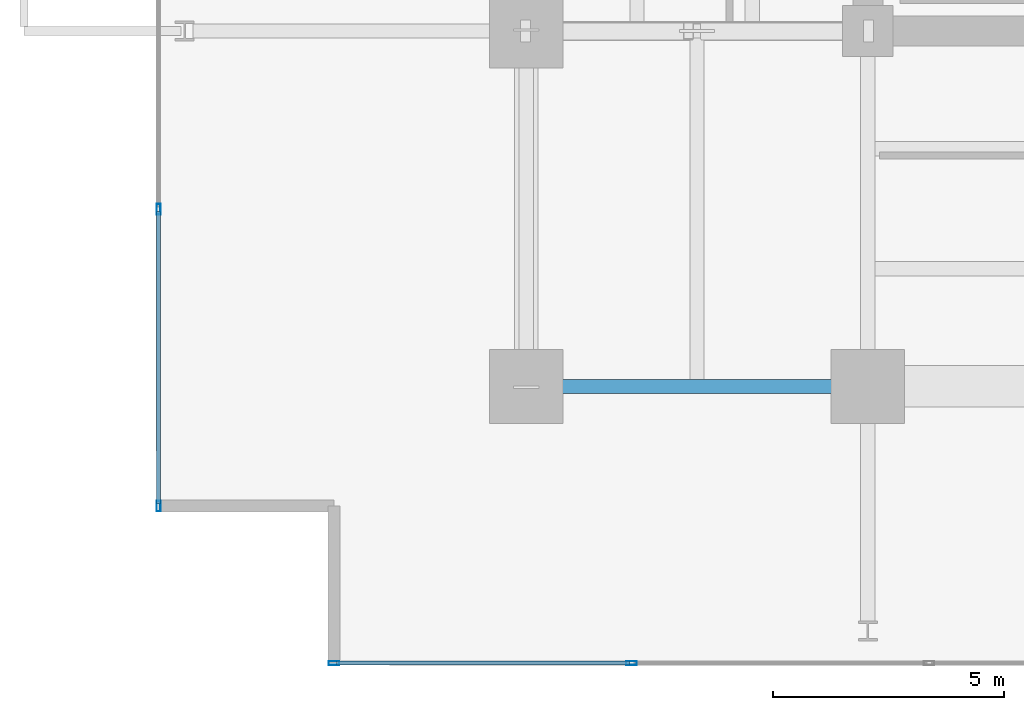
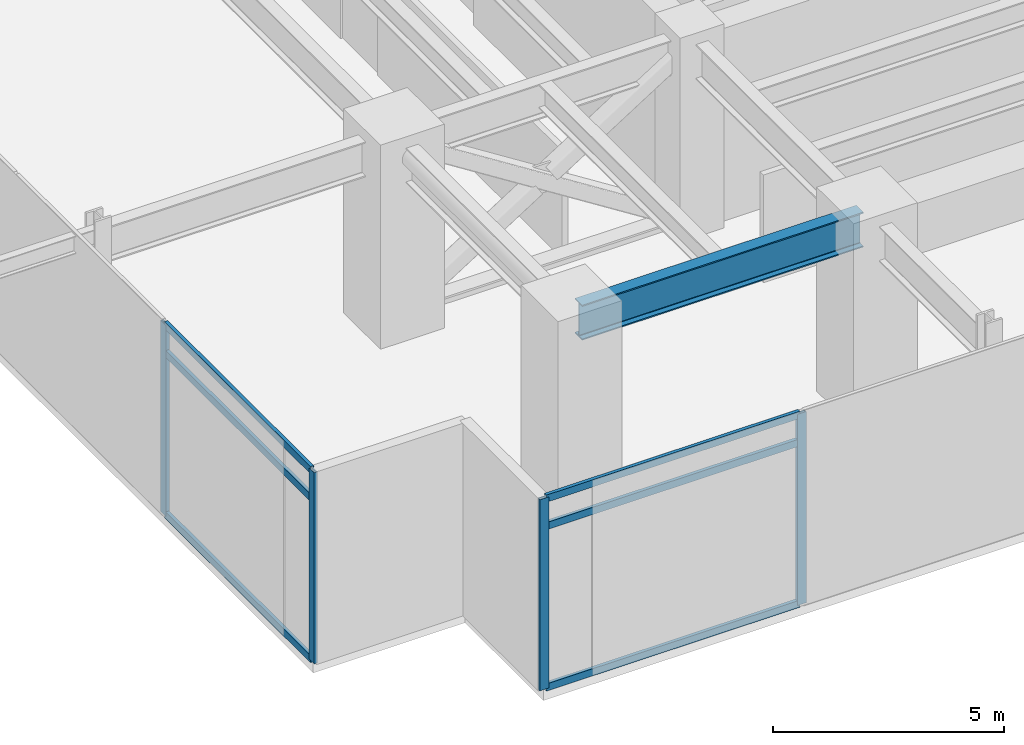
# One storey, part 2 of 26: 10 members, 1 beam, 2 elements without a shape of their own.
"""IFC4 building model written with IfcOpenShell, lengths in metres."""

from ifc_helpers import new_model, si_unit, direction, frame, origin, origin_2d, place, context, subcontext, project, spatial, hollow_rectangle, i_section, extrude, material, material_profile, profile_set, type_object, element, aggregate, save


model = new_model("IFC4")

# Units and contexts
model_context = context("Model", 3, precision=1e-05, world=origin(), true_north=direction((0.0, 1.0)))
body_context = subcontext(model_context, "Body", "Model", "MODEL_VIEW")
ifc_project = project(units=[si_unit("LENGTHUNIT", "METRE"), si_unit("AREAUNIT", "SQUARE_METRE"), si_unit("VOLUMEUNIT", "CUBIC_METRE"), si_unit("PLANEANGLEUNIT", "RADIAN"), si_unit("MASSUNIT", "GRAM", prefix="KILO")], contexts=[model_context])

# Site, building, storey
site_placement = place(None, origin())
site = spatial("IfcSite", under=ifc_project, at=site_placement, CompositionType="ELEMENT")
building_placement = place(site_placement, origin())
building = spatial("IfcBuilding", under=site, at=building_placement, Name="Kovane Verandah Tower", CompositionType="ELEMENT")
storey_placement = place(building_placement, frame((0.0, 0.0, 113.0)))
storey = spatial("IfcBuildingStorey", under=building, at=storey_placement, Name="L26", CompositionType="ELEMENT", Elevation=113.0)

# Beam
ifc_material_1 = material(Name="Steel S460", Category="steel")
ifc_material_profile_1 = material_profile(ifc_material_1, i_section(OverallWidth=0.3076171875, OverallDepth=0.926513671875, WebThickness=0.01953125, FlangeThickness=0.031982421875, FilletRadius=0.01904296875, at=origin_2d()), Name="UB914x305x289")
ifc_profile_set_1 = profile_set([ifc_material_profile_1], Name="Steel S460")
beam_type = type_object("IfcBeamType", Name="BM-UB914x289", PredefinedType="BEAM", material=ifc_profile_set_1)
beam_placement = place(storey_placement, frame((21.780029296875, 10.800048828125, 4.63671875), z_axis=(1.0, 0.0, 0.0), x_axis=(0.0, 1.0, 0.0)))
element("IfcBeam", 1, at=beam_placement, inside=storey, type_object=beam_type, Name="L26 Primary Tower Girder G-RS1", PredefinedType="BEAM", context=body_context, shape_type="SweptSolid", body=[
    extrude(i_section(OverallWidth=0.3076171875, OverallDepth=0.926513671875, WebThickness=0.01953125, FlangeThickness=0.031982421875, FilletRadius=0.01904296875, at=origin_2d()), origin(), (0.0, 0.0, 1.0), 7.0400390625),
])

# Curtain wall, members
ifc_material_2 = material(Name="Champagne Anodised Aluminium Frame with Low-E Clear Laminated Glass", Category="aluminium")
curtain_wall_type = type_object("IfcCurtainWallType", Name="CW-SYS-02-LOW", PredefinedType="NOTDEFINED", material=ifc_material_2)
curtain_wall_1_placement = place(storey_placement, origin())
curtain_wall_1 = element("IfcCurtainWall", 2, at=curtain_wall_1_placement, inside=storey, type_object=curtain_wall_type, Name="L26 S Unitised Curtain Wall", PredefinedType="NOTDEFINED")
ifc_material_3 = material(Name="Champagne Anodised Aluminium 6063-T6", Category="aluminium")
ifc_material_profile_2 = material_profile(ifc_material_3, hollow_rectangle(XDim=0.0849609375, YDim=0.22998046875, WallThickness=0.00390625, at=origin_2d()), Name="AL85x230x4")
ifc_profile_set_2 = profile_set([ifc_material_profile_2], Name="Champagne Anodised Aluminium 6063-T6")
member_type_1 = type_object("IfcMemberType", Name="CW-MUL-85x230", PredefinedType="MULLION", material=ifc_profile_set_2)
member_1_placement = place(storey_placement, frame((17.435791015625, 4.80517578125, 0.02001953125), z_axis=(0.0, 0.0, 1.0), x_axis=(0.0, -1.0, 0.0)))
member_1 = element("IfcMember", 3, at=member_1_placement, type_object=member_type_1, Name="L26 S Unitised Curtain Wall Mullion 1", PredefinedType="MULLION", context=body_context, shape_type="SweptSolid", body=[
    extrude(hollow_rectangle(XDim=0.0849609375, YDim=0.22998046875, WallThickness=0.00390625, at=origin_2d()), origin(), (0.0, 0.0, 1.0), 5.06005859375),
])
member_2_placement = place(storey_placement, frame((23.8828125, 4.80517578125, 0.02001953125), z_axis=(0.0, 0.0, 1.0), x_axis=(0.0, -1.0, 0.0)))
member_2 = element("IfcMember", 4, at=member_2_placement, type_object=member_type_1, Name="L26 S Unitised Curtain Wall Mullion 2", PredefinedType="MULLION", context=body_context, shape_type="SweptSolid", body=[
    extrude(hollow_rectangle(XDim=0.0849609375, YDim=0.22998046875, WallThickness=0.00390625, at=origin_2d()), origin(), (0.0, 0.0, 1.0), 5.06005859375),
])

curtain_wall_2_placement = place(storey_placement, origin())
curtain_wall_2 = element("IfcCurtainWall", 5, at=curtain_wall_2_placement, inside=storey, type_object=curtain_wall_type, Name="L26 W Unitised Curtain Wall", PredefinedType="NOTDEFINED")
member_3_placement = place(storey_placement, frame((13.635986328125, 14.63671875, 0.02001953125), z_axis=(0.0, 0.0, 1.0), x_axis=(-1.0, 0.0, 0.0)))
member_3 = element("IfcMember", 6, at=member_3_placement, type_object=member_type_1, Name="L26 W Unitised Curtain Wall Mullion 6", PredefinedType="MULLION", context=body_context, shape_type="SweptSolid", body=[
    extrude(hollow_rectangle(XDim=0.0849609375, YDim=0.22998046875, WallThickness=0.00390625, at=origin_2d()), origin(), (0.0, 0.0, 1.0), 5.06005859375),
])
member_4_placement = place(storey_placement, frame((13.635986328125, 8.205078125, 0.02001953125), z_axis=(0.0, 0.0, 1.0), x_axis=(-1.0, 0.0, 0.0)))
member_4 = element("IfcMember", 7, at=member_4_placement, type_object=member_type_1, Name="L26 W Unitised Curtain Wall Mullion 7", PredefinedType="MULLION", context=body_context, shape_type="SweptSolid", body=[
    extrude(hollow_rectangle(XDim=0.0849609375, YDim=0.22998046875, WallThickness=0.00390625, at=origin_2d()), origin(), (0.0, 0.0, 1.0), 5.06005859375),
])

# Member
ifc_material_profile_3 = material_profile(ifc_material_3, hollow_rectangle(XDim=0.0849609375, YDim=0.18994140625, WallThickness=0.00390625, at=origin_2d()), Name="AL85x190x4")
ifc_profile_set_3 = profile_set([ifc_material_profile_3], Name="Champagne Anodised Aluminium 6063-T6")
member_type_2 = type_object("IfcMemberType", Name="CW-TRN-85x190", PredefinedType="USERDEFINED", material=ifc_profile_set_3)
member_5_placement = place(storey_placement, frame((17.48583984375, 4.80517578125, 0.050048828125), z_axis=(1.0, 0.0, 0.0), x_axis=(0.0, 1.0, 0.0)))
member_5 = element("IfcMember", 8, at=member_5_placement, type_object=member_type_2, Name="L26 S Unitised Curtain Wall Transom TB Bay 1", ObjectType="TRANSOM", PredefinedType="USERDEFINED", context=body_context, shape_type="SweptSolid", body=[
    extrude(hollow_rectangle(XDim=0.0849609375, YDim=0.18994140625, WallThickness=0.00390625, at=origin_2d()), origin(), (0.0, 0.0, 1.0), 6.346923828125),
])

member_6_placement = place(storey_placement, frame((17.48583984375, 4.80517578125, 4.320068359375), z_axis=(1.0, 0.0, 0.0), x_axis=(0.0, 1.0, 0.0)))
member_6 = element("IfcMember", 9, at=member_6_placement, type_object=member_type_2, Name="L26 S Unitised Curtain Wall Transom TM Bay 1", ObjectType="TRANSOM", PredefinedType="USERDEFINED", context=body_context, shape_type="SweptSolid", body=[
    extrude(hollow_rectangle(XDim=0.0849609375, YDim=0.18994140625, WallThickness=0.00390625, at=origin_2d()), origin(), (0.0, 0.0, 1.0), 6.346923828125),
])

member_7_placement = place(storey_placement, frame((17.48583984375, 4.80517578125, 5.050048828125), z_axis=(1.0, 0.0, 0.0), x_axis=(0.0, 1.0, 0.0)))
member_7 = element("IfcMember", 10, at=member_7_placement, type_object=member_type_2, Name="L26 S Unitised Curtain Wall Transom TT Bay 1", ObjectType="TRANSOM", PredefinedType="USERDEFINED", context=body_context, shape_type="SweptSolid", body=[
    extrude(hollow_rectangle(XDim=0.0849609375, YDim=0.18994140625, WallThickness=0.00390625, at=origin_2d()), origin(), (0.0, 0.0, 1.0), 6.346923828125),
])

aggregate(curtain_wall_1, [member_1, member_2, member_5, member_6, member_7])

member_8_placement = place(storey_placement, frame((13.635986328125, 14.586669921875, 0.050048828125), z_axis=(0.0, -1.0, 0.0), x_axis=(1.0, 0.0, 0.0)))
member_8 = element("IfcMember", 11, at=member_8_placement, type_object=member_type_2, Name="L26 W Unitised Curtain Wall Transom TB Bay 6", ObjectType="TRANSOM", PredefinedType="USERDEFINED", context=body_context, shape_type="SweptSolid", body=[
    extrude(hollow_rectangle(XDim=0.0849609375, YDim=0.18994140625, WallThickness=0.00390625, at=origin_2d()), origin(), (0.0, 0.0, 1.0), 6.33154296875),
])

member_9_placement = place(storey_placement, frame((13.635986328125, 14.586669921875, 4.320068359375), z_axis=(0.0, -1.0, 0.0), x_axis=(1.0, 0.0, 0.0)))
member_9 = element("IfcMember", 12, at=member_9_placement, type_object=member_type_2, Name="L26 W Unitised Curtain Wall Transom TM Bay 6", ObjectType="TRANSOM", PredefinedType="USERDEFINED", context=body_context, shape_type="SweptSolid", body=[
    extrude(hollow_rectangle(XDim=0.0849609375, YDim=0.18994140625, WallThickness=0.00390625, at=origin_2d()), origin(), (0.0, 0.0, 1.0), 6.33154296875),
])

member_10_placement = place(storey_placement, frame((13.635986328125, 14.586669921875, 5.050048828125), z_axis=(0.0, -1.0, 0.0), x_axis=(1.0, 0.0, 0.0)))
member_10 = element("IfcMember", 13, at=member_10_placement, type_object=member_type_2, Name="L26 W Unitised Curtain Wall Transom TT Bay 6", ObjectType="TRANSOM", PredefinedType="USERDEFINED", context=body_context, shape_type="SweptSolid", body=[
    extrude(hollow_rectangle(XDim=0.0849609375, YDim=0.18994140625, WallThickness=0.00390625, at=origin_2d()), origin(), (0.0, 0.0, 1.0), 6.33154296875),
])

aggregate(curtain_wall_2, [member_3, member_4, member_8, member_9, member_10])

save(model, "model.ifc")
